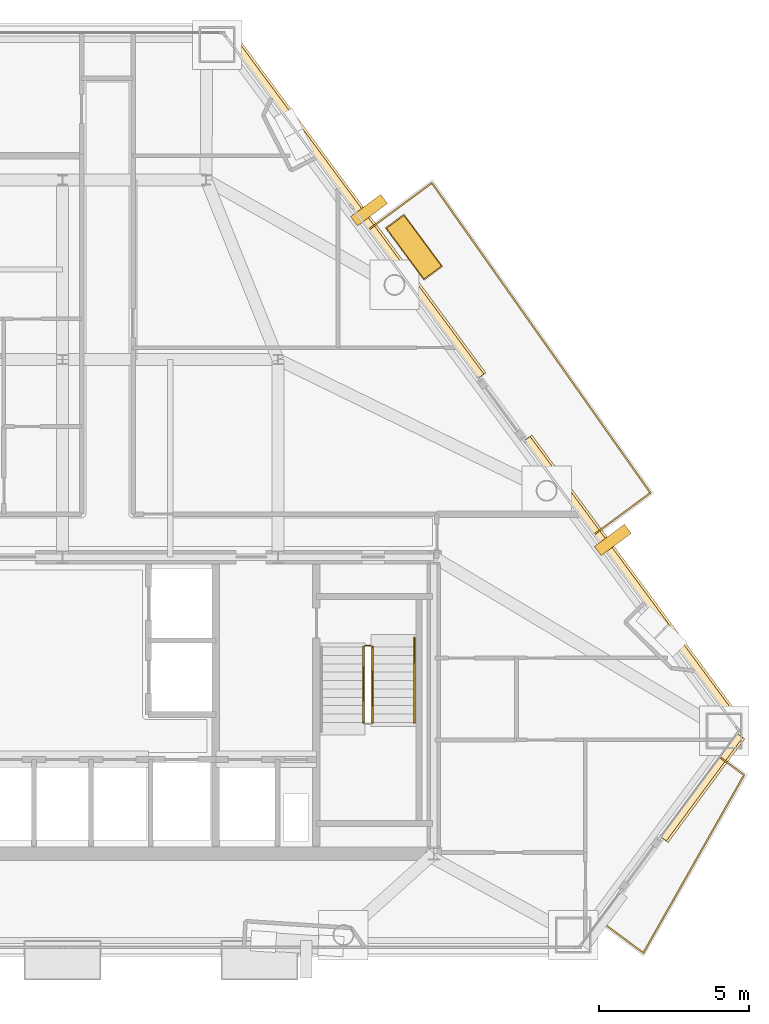
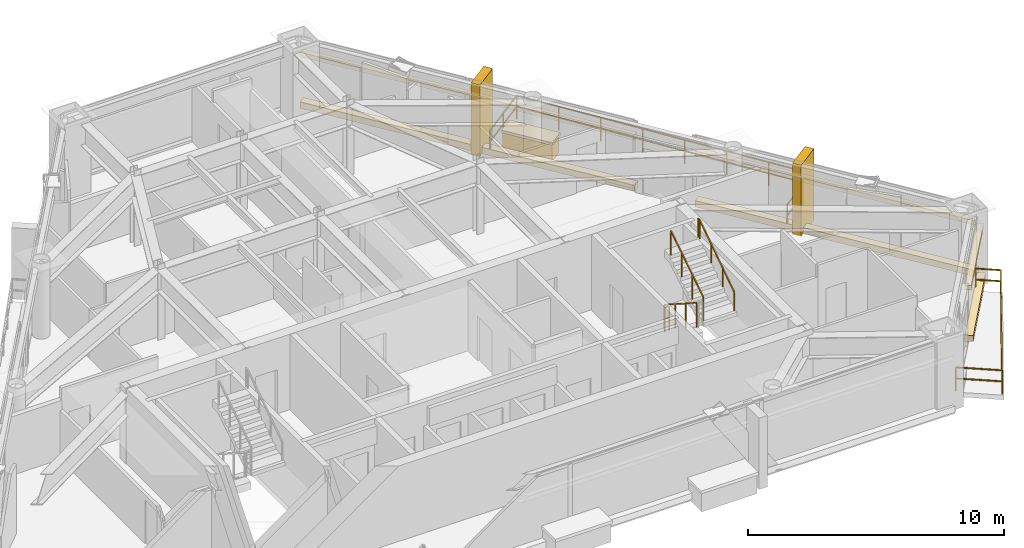
# One storey, part 11 of 11: 10 coverings, 6 railings.
"""IFC4 building model written with IfcOpenShell, lengths in metres."""

from ifc_helpers import new_model, si_unit, direction, frame, origin, origin_2d, place, context, subcontext, project, spatial, rectangle, extrude, material, layer, layer_set, type_object, element, save


model = new_model("IFC4")

# Units and contexts
model_context = context("Model", 3, precision=1e-05, world=origin(), true_north=direction((0.0, 1.0)))
body_context = subcontext(model_context, "Body", "Model", "MODEL_VIEW")
ifc_project = project(units=[si_unit("LENGTHUNIT", "METRE"), si_unit("AREAUNIT", "SQUARE_METRE"), si_unit("VOLUMEUNIT", "CUBIC_METRE"), si_unit("PLANEANGLEUNIT", "RADIAN"), si_unit("MASSUNIT", "GRAM", prefix="KILO")], contexts=[model_context])

# Site, building, storey
site_placement = place(None, origin())
site = spatial("IfcSite", under=ifc_project, at=site_placement, CompositionType="ELEMENT")
building_placement = place(site_placement, origin())
building = spatial("IfcBuilding", under=site, at=building_placement, Name="Talgorran Terracotta Tower", CompositionType="ELEMENT")
storey_placement = place(building_placement, frame((0.0, 0.0, 140.10009765625)))
storey = spatial("IfcBuildingStorey", under=building, at=storey_placement, Name="L36", CompositionType="ELEMENT", Elevation=140.10009765625)

# Coverings
ifc_material_1 = material(Name="Kiln-Fired Terracotta Ochre Ceramic", Category="masonry")
ifc_layer_1 = layer(ifc_material_1, 0.179931640625, Name="COV_BAGUETTE_TERRACOTTA_SCREEN")
ifc_layer_set_1 = layer_set([ifc_layer_1], Name="Kiln-Fired Terracotta Ochre Ceramic")
covering_type_1 = type_object("IfcCoveringType", Name="COV_BAGUETTE_TERRACOTTA_SCREEN", PredefinedType="CLADDING", material=ifc_layer_set_1)
covering_1_placement = place(storey_placement, frame((21.33447265625, -11.872314453125, 2.41015625), z_axis=(0.0, 0.0, 1.0), x_axis=(0.594359699802, 0.804199320598, 0.0)))
element("IfcCovering", 1, at=covering_1_placement, inside=storey, type_object=covering_type_1, Name="L36 Terracotta Baguette Solar Screen Assembly F31", PredefinedType="CLADDING", context=body_context, shape_type="SweptSolid", body=[
    extrude(rectangle(XDim=4.2880859375, YDim=0.260009765625, at=origin_2d()), origin(), (0.0, 0.0, 1.0), 0.219970703125),
])
covering_2_placement = place(storey_placement, frame((19.060546875, -5.05126953125, 2.41015625), z_axis=(0.0, 0.0, 1.0), x_axis=(-0.594359699802, 0.804199320598, 0.0)))
element("IfcCovering", 2, at=covering_2_placement, inside=storey, type_object=covering_type_1, Name="L36 Terracotta Baguette Solar Screen Assembly F40", PredefinedType="CLADDING", context=body_context, shape_type="SweptSolid", body=[
    extrude(rectangle(XDim=11.939697265625, YDim=0.260009765625, at=origin_2d()), origin(), (0.0, 0.0, 1.0), 0.219970703125),
])
covering_3_placement = place(storey_placement, frame((9.738037109375, 7.5625, 2.41015625), z_axis=(0.0, 0.0, 1.0), x_axis=(-0.594359699802, 0.804199320598, 0.0)))
element("IfcCovering", 3, at=covering_3_placement, inside=storey, type_object=covering_type_1, Name="L36 Terracotta Baguette Solar Screen Assembly F41", PredefinedType="CLADDING", context=body_context, shape_type="SweptSolid", body=[
    extrude(rectangle(XDim=14.230224609375, YDim=0.260009765625, at=origin_2d()), origin(), (0.0, 0.0, 1.0), 0.219970703125),
])
ifc_material_2 = material(Name="Honed Limestone and Terracotta Planter", Category="masonry")
ifc_layer_2 = layer(ifc_material_2, 0.1201171875, Name="COV_PLANTER_BOX")
ifc_layer_set_2 = layer_set([ifc_layer_2], Name="Honed Limestone and Terracotta Planter")
covering_type_2 = type_object("IfcCoveringType", Name="COV_PLANTER_BOX", PredefinedType="CLADDING", material=ifc_layer_set_2)
covering_4_placement = place(storey_placement, frame((11.738037109375, 6.15185546875, -0.02001953125), z_axis=(0.0, 0.0, 1.0), x_axis=(-0.594359699802, 0.804199320598, 0.0)))
element("IfcCovering", 4, at=covering_4_placement, inside=storey, type_object=covering_type_2, Name="L36 Staggered Balcony Planter Box BAL-NE", PredefinedType="CLADDING", context=body_context, shape_type="SweptSolid", body=[
    extrude(rectangle(XDim=2.10009765625, YDim=0.719970703125, at=origin_2d()), origin(), (0.0, 0.0, 1.0), 0.860107421875),
])
ifc_material_3 = material(Name="Kiln-Fired Terracotta Planter Rim", Category="masonry")
ifc_layer_3 = layer(ifc_material_3, 0.10009765625, Name="COV_PLANTER_RIM")
ifc_layer_set_3 = layer_set([ifc_layer_3], Name="Kiln-Fired Terracotta Planter Rim")
covering_type_3 = type_object("IfcCoveringType", Name="COV_PLANTER_RIM", PredefinedType="CLADDING", material=ifc_layer_set_3)
covering_5_placement = place(storey_placement, frame((11.738037109375, 6.15185546875, 0.7998046875), z_axis=(0.0, 0.0, 1.0), x_axis=(-0.594359699802, 0.804199320598, 0.0)))
element("IfcCovering", 5, at=covering_5_placement, inside=storey, type_object=covering_type_3, Name="L36 Balcony Planter Terracotta Rim BAL-NE", PredefinedType="CLADDING", context=body_context, shape_type="SweptSolid", body=[
    extrude(rectangle(XDim=2.179931640625, YDim=0.780029296875, at=origin_2d()), origin(), (0.0, 0.0, 1.0), 0.1201171875),
])
ifc_material_4 = material(Name="Honed Limestone Cladding", Category="masonry")
ifc_layer_4 = layer(ifc_material_4, 0.094970703125, Name="COV_PORTAL_LIME")
ifc_layer_set_4 = layer_set([ifc_layer_4], Name="Honed Limestone Cladding")
covering_type_4 = type_object("IfcCoveringType", Name="COV_PORTAL_LIME", PredefinedType="CLADDING", material=ifc_layer_set_4)
covering_6_placement = place(storey_placement, frame((21.366455078125, -11.896240234375, -0.0400390625), z_axis=(0.0, 0.0, 1.0), x_axis=(0.594359699802, 0.804199320598, 0.0)))
element("IfcCovering", 6, at=covering_6_placement, inside=storey, type_object=covering_type_4, Name="L36 Striped Postmodern Portal Cladding Band F31", PredefinedType="CLADDING", context=body_context, shape_type="SweptSolid", body=[
    extrude(rectangle(XDim=4.30810546875, YDim=0.340087890625, at=origin_2d()), origin(), (0.0, 0.0, 1.0), 0.300048828125),
])
covering_7_placement = place(storey_placement, frame((19.0927734375, -5.027587890625, -0.0400390625), z_axis=(0.0, 0.0, 1.0), x_axis=(-0.594359699802, 0.804199320598, 0.0)))
element("IfcCovering", 7, at=covering_7_placement, inside=storey, type_object=covering_type_4, Name="L36 Striped Postmodern Portal Cladding Band F40", PredefinedType="CLADDING", context=body_context, shape_type="SweptSolid", body=[
    extrude(rectangle(XDim=11.959716796875, YDim=0.340087890625, at=origin_2d()), origin(), (0.0, 0.0, 1.0), 0.300048828125),
])
covering_8_placement = place(storey_placement, frame((9.770263671875, 7.586181640625, -0.0400390625), z_axis=(0.0, 0.0, 1.0), x_axis=(-0.594359699802, 0.804199320598, 0.0)))
element("IfcCovering", 8, at=covering_8_placement, inside=storey, type_object=covering_type_4, Name="L36 Striped Postmodern Portal Cladding Band F41", PredefinedType="CLADDING", context=body_context, shape_type="SweptSolid", body=[
    extrude(rectangle(XDim=14.250244140625, YDim=0.340087890625, at=origin_2d()), origin(), (0.0, 0.0, 1.0), 0.300048828125),
])
covering_9_placement = place(storey_placement, frame((10.238525390625, 7.389892578125, -0.050048828125), z_axis=(0.0, 0.0, 1.0), x_axis=(-0.594359699802, 0.804199320598, 0.0)))
element("IfcCovering", 9, at=covering_9_placement, inside=storey, type_object=covering_type_4, Name="L36 White Striped Portal Fin F3-2", PredefinedType="CLADDING", context=body_context, shape_type="SweptSolid", body=[
    extrude(rectangle(XDim=0.3798828125, YDim=1.25, at=origin_2d()), origin(), (0.0, 0.0, 1.0), 3.39990234375),
])
ifc_material_5 = material(Name="Kiln-Fired Terracotta Cladding", Category="masonry")
ifc_layer_5 = layer(ifc_material_5, 0.090087890625, Name="COV_PORTAL_TERRA")
ifc_layer_set_5 = layer_set([ifc_layer_5], Name="Kiln-Fired Terracotta Cladding")
covering_type_5 = type_object("IfcCoveringType", Name="COV_PORTAL_TERRA", PredefinedType="CLADDING", material=ifc_layer_set_5)
covering_10_placement = place(storey_placement, frame((18.37841796875, -3.623779296875, -0.050048828125), z_axis=(0.0, 0.0, 1.0), x_axis=(-0.594359699802, 0.804199320598, 0.0)))
element("IfcCovering", 10, at=covering_10_placement, inside=storey, type_object=covering_type_5, Name="L36 Terracotta Striped Portal Fin F3-1", PredefinedType="CLADDING", context=body_context, shape_type="SweptSolid", body=[
    extrude(rectangle(XDim=0.3798828125, YDim=1.25, at=origin_2d()), origin(), (0.0, 0.0, 1.0), 3.39990234375),
])

# Railings
ifc_material_6 = material(Name="Laminated Glass and Stainless Steel 316", Category="steel")
railing_type_1 = type_object("IfcRailingType", Name="RL_BALCONY_1150", PredefinedType="BALUSTRADE", material=ifc_material_6)
railing_1_placement = place(storey_placement, frame((17.765625, -3.433837890625, 0.0)))
element("IfcRailing", 11, at=railing_1_placement, inside=storey, type_object=railing_type_1, Name="RL-L36-BAL-BAL-NE", PredefinedType="BALUSTRADE", context=body_context, shape_type="SweptSolid", body=[
    extrude(rectangle(XDim=0.048095703125, YDim=0.048095703125, at=origin_2d()), frame((0.0, 0.0, 1.1259765625), z_axis=(0.804243866644, 0.594299421979, 0.0), x_axis=(-0.594299421979, 0.804243866644, 0.0)), (0.0, 0.0, 1.0), 2.322265625),
    extrude(rectangle(XDim=0.048095703125, YDim=0.048095703125, at=origin_2d()), frame((0.0, 0.0, 0.597900390625), z_axis=(0.804243866644, 0.594299421979, 0.0), x_axis=(-0.594299421979, 0.804243866644, 0.0)), (0.0, 0.0, 1.0), 2.322265625),
    extrude(rectangle(XDim=0.048095703125, YDim=0.048095703125, at=origin_2d()), frame((1.86767578125, 1.380126953125, 1.1259765625), z_axis=(-0.576247164836, 0.817275476824, 0.0), x_axis=(-0.817275476824, -0.576247164836, 0.0)), (0.0, 0.0, 1.0), 12.66455078125),
    extrude(rectangle(XDim=0.048095703125, YDim=0.048095703125, at=origin_2d()), frame((1.86767578125, 1.380126953125, 0.597900390625), z_axis=(-0.576247164836, 0.817275476824, 0.0), x_axis=(-0.817275476824, -0.576247164836, 0.0)), (0.0, 0.0, 1.0), 12.66455078125),
    extrude(rectangle(XDim=0.048095703125, YDim=0.048095703125, at=origin_2d()), frame((-5.43017578125, 11.73046875, 1.1259765625), z_axis=(-0.804230669372, -0.594317280955, 0.0), x_axis=(0.594317280955, -0.804230669372, 0.0)), (0.0, 0.0, 1.0), 2.605224609375),
    extrude(rectangle(XDim=0.048095703125, YDim=0.048095703125, at=origin_2d()), frame((-5.43017578125, 11.73046875, 0.597900390625), z_axis=(-0.804230669372, -0.594317280955, 0.0), x_axis=(0.594317280955, -0.804230669372, 0.0)), (0.0, 0.0, 1.0), 2.605224609375),
    extrude(rectangle(XDim=0.0419921875, YDim=0.0419921875, at=origin_2d()), origin(), (0.0, 0.0, 1.0), 1.101806640625),
    extrude(rectangle(XDim=0.0419921875, YDim=0.0419921875, at=origin_2d()), frame((0.933837890625, 0.68994140625, 0.0)), (0.0, 0.0, 1.0), 1.101806640625),
    extrude(rectangle(XDim=0.0419921875, YDim=0.0419921875, at=origin_2d()), frame((1.86767578125, 1.380126953125, 0.0)), (0.0, 0.0, 1.0), 1.101806640625),
    extrude(rectangle(XDim=0.0419921875, YDim=0.0419921875, at=origin_2d()), frame((0.8251953125, 2.858642578125, 0.0)), (0.0, 0.0, 1.0), 1.101806640625),
    extrude(rectangle(XDim=0.0419921875, YDim=0.0419921875, at=origin_2d()), frame((-0.217529296875, 4.33740234375, 0.0)), (0.0, 0.0, 1.0), 1.101806640625),
    extrude(rectangle(XDim=0.0419921875, YDim=0.0419921875, at=origin_2d()), frame((-1.260009765625, 5.81591796875, 0.0)), (0.0, 0.0, 1.0), 1.101806640625),
    extrude(rectangle(XDim=0.0419921875, YDim=0.0419921875, at=origin_2d()), frame((-2.302490234375, 7.294677734375, 0.0)), (0.0, 0.0, 1.0), 1.101806640625),
    extrude(rectangle(XDim=0.0419921875, YDim=0.0419921875, at=origin_2d()), frame((-3.344970703125, 8.773193359375, 0.0)), (0.0, 0.0, 1.0), 1.101806640625),
    extrude(rectangle(XDim=0.0419921875, YDim=0.0419921875, at=origin_2d()), frame((-4.3876953125, 10.251953125, 0.0)), (0.0, 0.0, 1.0), 1.101806640625),
    extrude(rectangle(XDim=0.0419921875, YDim=0.0419921875, at=origin_2d()), frame((-5.43017578125, 11.73046875, 0.0)), (0.0, 0.0, 1.0), 1.101806640625),
    extrude(rectangle(XDim=0.0419921875, YDim=0.0419921875, at=origin_2d()), frame((-6.477783203125, 10.956298828125, 0.0)), (0.0, 0.0, 1.0), 1.101806640625),
    extrude(rectangle(XDim=0.0419921875, YDim=0.0419921875, at=origin_2d()), frame((-7.525390625, 10.18212890625, 0.0)), (0.0, 0.0, 1.0), 1.101806640625),
])
railing_2_placement = place(storey_placement, frame((17.93701171875, -16.33447265625, 0.0)))
element("IfcRailing", 12, at=railing_2_placement, inside=storey, type_object=railing_type_1, Name="RL-L36-BAL-BAL-SE", PredefinedType="BALUSTRADE", context=body_context, shape_type="SweptSolid", body=[
    extrude(rectangle(XDim=0.048095703125, YDim=0.048095703125, at=origin_2d()), frame((0.0, 0.0, 1.1259765625), z_axis=(0.804218000159, -0.594334424562, 0.0), x_axis=(0.594334424562, 0.804218000159, 0.0)), (0.0, 0.0, 1.0), 1.818115234375),
    extrude(rectangle(XDim=0.048095703125, YDim=0.048095703125, at=origin_2d()), frame((0.0, 0.0, 0.597900390625), z_axis=(0.804218000159, -0.594334424562, 0.0), x_axis=(0.594334424562, 0.804218000159, 0.0)), (0.0, 0.0, 1.0), 1.818115234375),
    extrude(rectangle(XDim=0.048095703125, YDim=0.048095703125, at=origin_2d()), frame((1.462158203125, -1.08056640625, 1.1259765625), z_axis=(0.492606397735, 0.87025222603, 0.0), x_axis=(-0.87025222603, 0.492606397735, 0.0)), (0.0, 0.0, 1.0), 6.825439453125),
    extrude(rectangle(XDim=0.048095703125, YDim=0.048095703125, at=origin_2d()), frame((1.462158203125, -1.08056640625, 0.597900390625), z_axis=(0.492606397735, 0.87025222603, 0.0), x_axis=(-0.87025222603, 0.492606397735, 0.0)), (0.0, 0.0, 1.0), 6.825439453125),
    extrude(rectangle(XDim=0.048095703125, YDim=0.048095703125, at=origin_2d()), frame((4.824462890625, 4.859375, 1.1259765625), z_axis=(-0.804176141466, 0.594391061084, 0.0), x_axis=(-0.594391061084, -0.804176141466, 0.0)), (0.0, 0.0, 1.0), 0.991455078125),
    extrude(rectangle(XDim=0.048095703125, YDim=0.048095703125, at=origin_2d()), frame((4.824462890625, 4.859375, 0.597900390625), z_axis=(-0.804176141466, 0.594391061084, 0.0), x_axis=(-0.594391061084, -0.804176141466, 0.0)), (0.0, 0.0, 1.0), 0.991455078125),
    extrude(rectangle(XDim=0.0419921875, YDim=0.0419921875, at=origin_2d()), origin(), (0.0, 0.0, 1.0), 1.101806640625),
    extrude(rectangle(XDim=0.0419921875, YDim=0.0419921875, at=origin_2d()), frame((1.462158203125, -1.08056640625, 0.0)), (0.0, 0.0, 1.0), 1.101806640625),
    extrude(rectangle(XDim=0.0419921875, YDim=0.0419921875, at=origin_2d()), frame((2.302734375, 0.404296875, 0.0)), (0.0, 0.0, 1.0), 1.101806640625),
    extrude(rectangle(XDim=0.0419921875, YDim=0.0419921875, at=origin_2d()), frame((3.143310546875, 1.889404296875, 0.0)), (0.0, 0.0, 1.0), 1.101806640625),
    extrude(rectangle(XDim=0.0419921875, YDim=0.0419921875, at=origin_2d()), frame((3.98388671875, 3.37451171875, 0.0)), (0.0, 0.0, 1.0), 1.101806640625),
    extrude(rectangle(XDim=0.0419921875, YDim=0.0419921875, at=origin_2d()), frame((4.824462890625, 4.859375, 0.0)), (0.0, 0.0, 1.0), 1.101806640625),
    extrude(rectangle(XDim=0.0419921875, YDim=0.0419921875, at=origin_2d()), frame((4.027099609375, 5.44873046875, 0.0)), (0.0, 0.0, 1.0), 1.101806640625),
])
ifc_material_7 = material(Name="Steel S355 (300PLUS)", Category="steel")
railing_type_2 = type_object("IfcRailingType", Name="RL_HANDRAIL_920", PredefinedType="HANDRAIL", material=ifc_material_7)
railing_3_placement = place(storey_placement, frame((11.75, -9.719970703125, 1.97998046875)))
element("IfcRailing", 13, at=railing_3_placement, inside=storey, type_object=railing_type_2, Name="L36 ST-02 stair handrail 2", PredefinedType="HANDRAIL", context=body_context, shape_type="SweptSolid", body=[
    extrude(rectangle(XDim=0.048095703125, YDim=0.048095703125, at=origin_2d()), frame((0.0, 0.0, 0.89599609375), z_axis=(0.0, 0.832073444223, 0.554665469827), x_axis=(-1.0, 0.0, 0.0)), (0.0, 0.0, 1.0), 3.244873046875),
    extrude(rectangle(XDim=0.048095703125, YDim=0.048095703125, at=origin_2d()), frame((0.0, 2.699951171875, 2.69580078125), z_axis=(0.0, 1.0, 0.0), x_axis=(-1.0, 0.0, 0.0)), (0.0, 0.0, 1.0), 0.1201171875),
    extrude(rectangle(XDim=0.0419921875, YDim=0.0419921875, at=origin_2d()), origin(), (0.0, 0.0, 1.0), 0.871826171875),
    extrude(rectangle(XDim=0.0419921875, YDim=0.0419921875, at=origin_2d()), frame((0.0, 0.89990234375, 0.599853515625)), (0.0, 0.0, 1.0), 0.871826171875),
    extrude(rectangle(XDim=0.0419921875, YDim=0.0419921875, at=origin_2d()), frame((0.0, 1.800048828125, 1.199951171875)), (0.0, 0.0, 1.0), 0.871826171875),
    extrude(rectangle(XDim=0.0419921875, YDim=0.0419921875, at=origin_2d()), frame((0.0, 2.699951171875, 1.7998046875)), (0.0, 0.0, 1.0), 0.871826171875),
    extrude(rectangle(XDim=0.0419921875, YDim=0.0419921875, at=origin_2d()), frame((0.0, 2.820068359375, 1.7998046875)), (0.0, 0.0, 1.0), 0.871826171875),
])
railing_type_3 = type_object("IfcRailingType", Name="RL_STAIR_GUARD", PredefinedType="GUARDRAIL", material=ifc_material_7)
railing_4_placement = place(storey_placement, frame((10.050048828125, -7.199951171875, 0.179931640625)))
element("IfcRailing", 14, at=railing_4_placement, inside=storey, type_object=railing_type_3, Name="L36 ST-02 stair guard 1", PredefinedType="GUARDRAIL", context=body_context, shape_type="SweptSolid", body=[
    extrude(rectangle(XDim=0.048095703125, YDim=0.048095703125, at=origin_2d()), frame((0.0, 0.0, 1.15576171875), z_axis=(0.0, -0.841199657755, 0.540724639528), x_axis=(1.0, 0.0, 0.0)), (0.0, 0.0, 1.0), 2.995849609375),
    extrude(rectangle(XDim=0.0419921875, YDim=0.0419921875, at=origin_2d()), origin(), (0.0, 0.0, 1.0), 1.1318359375),
    extrude(rectangle(XDim=0.0419921875, YDim=0.0419921875, at=origin_2d()), frame((0.0, -0.840087890625, 0.5400390625)), (0.0, 0.0, 1.0), 1.1318359375),
    extrude(rectangle(XDim=0.0419921875, YDim=0.0419921875, at=origin_2d()), frame((0.0, -1.679931640625, 1.079833984375)), (0.0, 0.0, 1.0), 1.1318359375),
    extrude(rectangle(XDim=0.0419921875, YDim=0.0419921875, at=origin_2d()), frame((0.0, -2.52001953125, 1.619873046875)), (0.0, 0.0, 1.0), 1.1318359375),
])
railing_5_placement = place(storey_placement, frame((10.35009765625, -9.719970703125, 1.97998046875)))
element("IfcRailing", 15, at=railing_5_placement, inside=storey, type_object=railing_type_3, Name="L36 ST-02 stair guard 3", PredefinedType="GUARDRAIL", context=body_context, shape_type="SweptSolid", body=[
    extrude(rectangle(XDim=0.048095703125, YDim=0.048095703125, at=origin_2d()), frame((0.0, 0.0, 1.15576171875), z_axis=(0.0, 0.841199657755, 0.540724639528), x_axis=(-1.0, 0.0, 0.0)), (0.0, 0.0, 1.0), 2.995849609375),
    extrude(rectangle(XDim=0.0419921875, YDim=0.0419921875, at=origin_2d()), origin(), (0.0, 0.0, 1.0), 1.1318359375),
    extrude(rectangle(XDim=0.0419921875, YDim=0.0419921875, at=origin_2d()), frame((0.0, 0.840087890625, 0.5400390625)), (0.0, 0.0, 1.0), 1.1318359375),
    extrude(rectangle(XDim=0.0419921875, YDim=0.0419921875, at=origin_2d()), frame((0.0, 1.679931640625, 1.079833984375)), (0.0, 0.0, 1.0), 1.1318359375),
    extrude(rectangle(XDim=0.0419921875, YDim=0.0419921875, at=origin_2d()), frame((0.0, 2.52001953125, 1.619873046875)), (0.0, 0.0, 1.0), 1.1318359375),
])
railing_6_placement = place(storey_placement, frame((10.10009765625, -7.14990234375, 0.0)))
element("IfcRailing", 16, at=railing_6_placement, inside=storey, type_object=railing_type_3, Name="L36 ST-02 stair guard 4", PredefinedType="GUARDRAIL", context=body_context, shape_type="SweptSolid", body=[
    extrude(rectangle(XDim=0.048095703125, YDim=0.048095703125, at=origin_2d()), frame((0.0, 0.0, 1.15576171875), z_axis=(1.0, 0.0, 0.0), x_axis=(0.0, 1.0, 0.0)), (0.0, 0.0, 1.0), 0.199951171875),
    extrude(rectangle(XDim=0.048095703125, YDim=0.048095703125, at=origin_2d()), frame((0.0, 0.0, 0.613525390625), z_axis=(1.0, 0.0, 0.0), x_axis=(0.0, 1.0, 0.0)), (0.0, 0.0, 1.0), 0.199951171875),
    extrude(rectangle(XDim=0.0419921875, YDim=0.0419921875, at=origin_2d()), origin(), (0.0, 0.0, 1.0), 1.1318359375),
    extrude(rectangle(XDim=0.0419921875, YDim=0.0419921875, at=origin_2d()), frame((0.199951171875, 0.0, 0.0)), (0.0, 0.0, 1.0), 1.1318359375),
])

save(model, "model.ifc")
